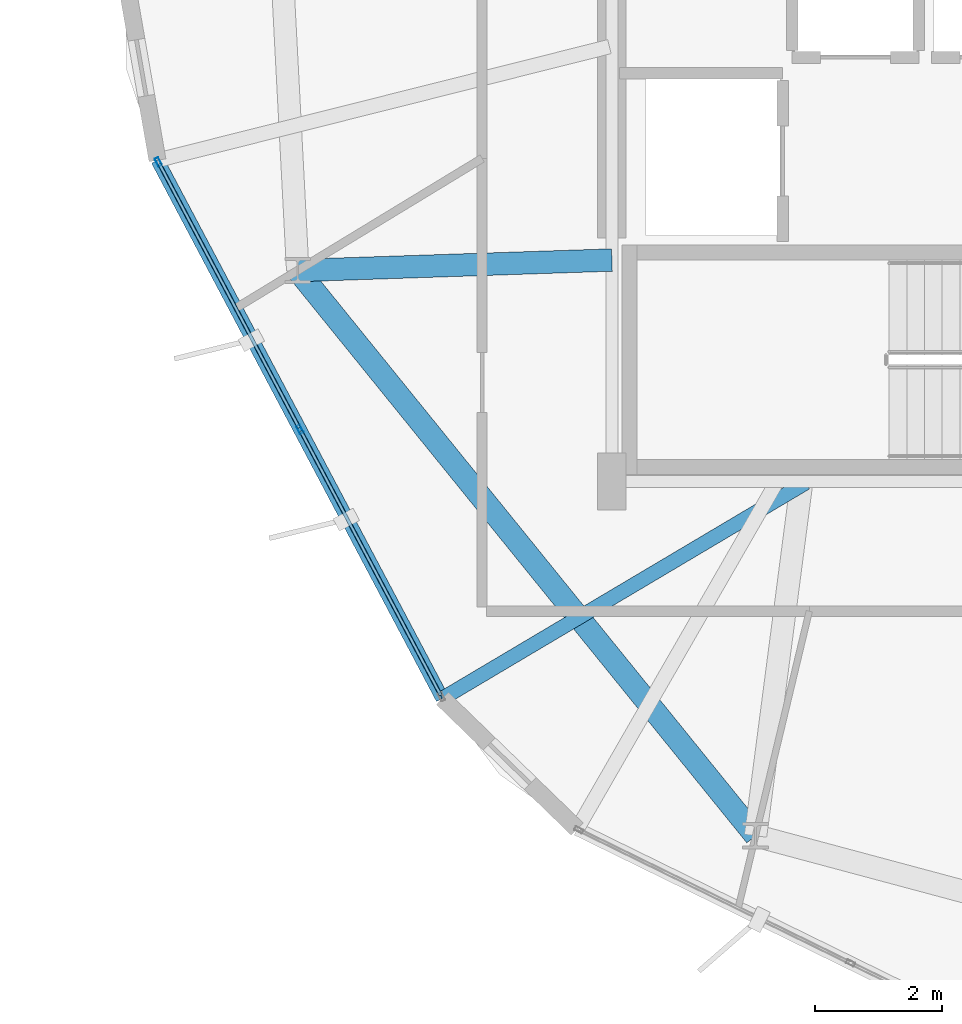
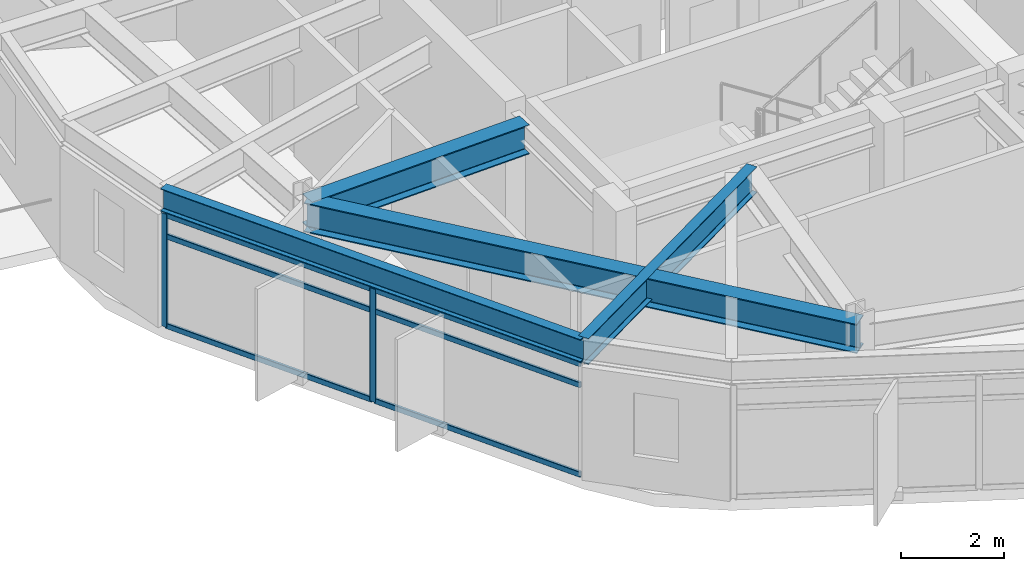
# One storey, part 3 of 28: 8 members, 4 beams, 1 element without a shape of its own.
"""IFC4 building model written with IfcOpenShell, lengths in metres."""

from ifc_helpers import new_model, si_unit, direction, frame, origin, origin_2d, place, context, subcontext, project, spatial, hollow_rectangle, i_section, extrude, material, layer, layer_set, material_profile, profile_set, type_object, element, aggregate, save


model = new_model("IFC4")

# Units and contexts
model_context = context("Model", 3, precision=1e-05, world=origin(), true_north=direction((0.0, 1.0)))
body_context = subcontext(model_context, "Body", "Model", "MODEL_VIEW")
ifc_project = project(units=[si_unit("LENGTHUNIT", "METRE"), si_unit("AREAUNIT", "SQUARE_METRE"), si_unit("VOLUMEUNIT", "CUBIC_METRE"), si_unit("PLANEANGLEUNIT", "RADIAN"), si_unit("MASSUNIT", "GRAM", prefix="KILO")], contexts=[model_context])

# Site, building, storey
site_placement = place(None, origin())
site = spatial("IfcSite", under=ifc_project, at=site_placement, CompositionType="ELEMENT")
building_placement = place(site_placement, origin())
building = spatial("IfcBuilding", under=site, at=building_placement, Name="Soratama Intermodal Tower", CompositionType="ELEMENT")
storey_placement = place(building_placement, frame((0.0, 0.0, 201.39990234375)))
storey = spatial("IfcBuildingStorey", under=building, at=storey_placement, Name="L50", CompositionType="ELEMENT", Elevation=201.39990234375)

# Beams
ifc_material_1 = material(Name="Structural steel ASTM A992 Grade 50", Category="steel")
ifc_material_profile_1 = material_profile(ifc_material_1, i_section(OverallWidth=0.35498046875, OverallDepth=0.695068359375, WebThickness=0.015380859375, FlangeThickness=0.02490234375, FilletRadius=0.01611328125, at=origin_2d()), Name="W27X146")
ifc_profile_set_1 = profile_set([ifc_material_profile_1], Name="Structural steel ASTM A992 Grade 50")
beam_type_1 = type_object("IfcBeamType", Name="BM-RING-W27X146", PredefinedType="BEAM", material=ifc_profile_set_1)
beam_1_placement = place(storey_placement, frame((27.635009765625, 18.333984375, 2.95263671875), z_axis=(0.629384551156, -0.777094001242, 0.0), x_axis=(0.777094001242, 0.629384551156, 0.0)))
element("IfcBeam", 1, at=beam_1_placement, inside=storey, type_object=beam_type_1, Name="BM-L50-RING-06", PredefinedType="BEAM", context=body_context, shape_type="SweptSolid", body=[
    extrude(i_section(OverallWidth=0.35498046875, OverallDepth=0.695068359375, WebThickness=0.015380859375, FlangeThickness=0.02490234375, FilletRadius=0.01611328125, at=origin_2d()), origin(), (0.0, 0.0, 1.0), 11.49560546875),
])
beam_2_placement = place(storey_placement, frame((32.60009765625, 18.5, 2.95263671875), z_axis=(-0.999441465401, -0.033417917907, 0.0), x_axis=(0.033417917907, -0.999441465401, 0.0)))
element("IfcBeam", 2, at=beam_2_placement, inside=storey, type_object=beam_type_1, Name="BM-L50-RAD-06", PredefinedType="BEAM", context=body_context, shape_type="SweptSolid", body=[
    extrude(i_section(OverallWidth=0.35498046875, OverallDepth=0.695068359375, WebThickness=0.015380859375, FlangeThickness=0.02490234375, FilletRadius=0.01611328125, at=origin_2d()), origin(), (0.0, 0.0, 1.0), 4.9677734375),
])
ifc_material_2 = material(Name="Structural steel ASTM A992 Grade 50", Category="steel")
ifc_material_profile_2 = material_profile(ifc_material_2, i_section(OverallWidth=0.2099609375, OverallDepth=0.537109375, WebThickness=0.010986328125, FlangeThickness=0.017333984375, FilletRadius=0.012939453125, at=origin_2d()), Name="W21X68")
ifc_profile_set_2 = profile_set([ifc_material_profile_2], Name="Structural steel ASTM A992 Grade 50")
beam_type_2 = type_object("IfcBeamType", Name="BM-SPN-W21X68", PredefinedType="SPANDREL", material=ifc_profile_set_2)
beam_3_placement = place(storey_placement, frame((25.41796875, 20.076904296875, 3.031494140625), z_axis=(0.467873734088, -0.883795320734, 0.0), x_axis=(0.883795320734, 0.467873734088, 0.0)))
element("IfcBeam", 3, at=beam_3_placement, inside=storey, type_object=beam_type_2, Name="BS-L50-F05", PredefinedType="SPANDREL", context=body_context, shape_type="SweptSolid", body=[
    extrude(i_section(OverallWidth=0.2099609375, OverallDepth=0.537109375, WebThickness=0.010986328125, FlangeThickness=0.017333984375, FilletRadius=0.012939453125, at=origin_2d()), origin(), (0.0, 0.0, 1.0), 9.624267578125),
])
ifc_material_3 = material(Name="Structural steel ASTM A992 Grade 50", Category="steel")
ifc_material_profile_3 = material_profile(ifc_material_3, i_section(OverallWidth=0.22900390625, OverallDepth=0.612060546875, WebThickness=0.011962890625, FlangeThickness=0.01953125, FilletRadius=0.012939453125, at=origin_2d()), Name="W24X84")
ifc_profile_set_3 = profile_set([ifc_material_profile_3], Name="Structural steel ASTM A992 Grade 50")
beam_type_3 = type_object("IfcBeamType", Name="BM-TIE-W24X84", PredefinedType="BEAM", material=ifc_profile_set_3)
beam_4_placement = place(storey_placement, frame((35.6640625, 14.97998046875, 2.994140625), z_axis=(-0.859924942844, -0.510420505736, 0.0), x_axis=(0.510420505736, -0.859924942844, 0.0)))
element("IfcBeam", 4, at=beam_4_placement, inside=storey, type_object=beam_type_3, Name="BM-L50-TIE1-05", PredefinedType="BEAM", context=body_context, shape_type="SweptSolid", body=[
    extrude(i_section(OverallWidth=0.22900390625, OverallDepth=0.612060546875, WebThickness=0.011962890625, FlangeThickness=0.01953125, FilletRadius=0.012939453125, at=origin_2d()), origin(), (0.0, 0.0, 1.0), 6.6787109375),
])

# Curtain wall, members
ifc_material_4 = material(Name="Double-glazed aluminium curtain wall", Category="aluminium")
ifc_layer = layer(ifc_material_4, 0.159912109375)
ifc_layer_set = layer_set([ifc_layer], Name="Double-glazed aluminium curtain wall")
curtain_wall_type = type_object("IfcCurtainWallType", Name="CW-SYS-5", PredefinedType="NOTDEFINED", material=ifc_layer_set)
curtain_wall_placement = place(storey_placement, origin())
curtain_wall = element("IfcCurtainWall", 5, at=curtain_wall_placement, inside=storey, type_object=curtain_wall_type, Name="L50 Faceted Curtain Wall F05", PredefinedType="NOTDEFINED")
ifc_material_5 = material(Name="Anodised aluminium AA 6063-T6", Category="aluminium")
ifc_material_profile_4 = material_profile(ifc_material_5, hollow_rectangle(XDim=0.06494140625, YDim=0.139892578125, WallThickness=0.0048828125, InnerFilletRadius=0.0048828125, OuterFilletRadius=0.010009765625, at=origin_2d()), Name="CWM140X65X5")
ifc_profile_set_4 = profile_set([ifc_material_profile_4], Name="Anodised aluminium AA 6063-T6")
member_type_1 = type_object("IfcMemberType", Name="MT-CWM-5", PredefinedType="MULLION", material=ifc_profile_set_4)
member_1_placement = place(storey_placement, frame((25.431640625, 20.050048828125, 0.0), z_axis=(0.0, 0.0, 1.0), x_axis=(0.883764662707, 0.467931641321, 0.0)))
member_1 = element("IfcMember", 6, at=member_1_placement, type_object=member_type_1, Name="CW-5 mullion 1", PredefinedType="MULLION", context=body_context, shape_type="SweptSolid", body=[
    extrude(hollow_rectangle(XDim=0.06494140625, YDim=0.139892578125, WallThickness=0.0048828125, InnerFilletRadius=0.0048828125, OuterFilletRadius=0.010009765625, at=origin_2d()), origin(), (0.0, 0.0, 1.0), 2.67919921875),
])
member_2_placement = place(storey_placement, frame((27.66943359375, 15.823974609375, 0.0), z_axis=(0.0, 0.0, 1.0), x_axis=(0.883764662707, 0.467931641321, 0.0)))
member_2 = element("IfcMember", 7, at=member_2_placement, type_object=member_type_1, Name="CW-5 mullion 2", PredefinedType="MULLION", context=body_context, shape_type="SweptSolid", body=[
    extrude(hollow_rectangle(XDim=0.06494140625, YDim=0.139892578125, WallThickness=0.0048828125, InnerFilletRadius=0.0048828125, OuterFilletRadius=0.010009765625, at=origin_2d()), origin(), (0.0, 0.0, 1.0), 2.67919921875),
])
ifc_material_6 = material(Name="Anodised aluminium AA 6063-T6", Category="aluminium")
ifc_material_profile_5 = material_profile(ifc_material_6, hollow_rectangle(XDim=0.06005859375, YDim=0.1298828125, WallThickness=0.0048828125, InnerFilletRadius=0.0048828125, OuterFilletRadius=0.010009765625, at=origin_2d()), Name="CWT130X60X5")
ifc_profile_set_5 = profile_set([ifc_material_profile_5], Name="Anodised aluminium AA 6063-T6")
member_type_2 = type_object("IfcMemberType", Name="TT-CWT-2", PredefinedType="USERDEFINED", material=ifc_profile_set_5)
member_3_placement = place(storey_placement, frame((25.44580078125, 20.023681640625, 0.030029296875), z_axis=(0.467897222262, -0.883782885894, 0.0), x_axis=(0.883782885894, 0.467897222262, 0.0)))
member_3 = element("IfcMember", 8, at=member_3_placement, type_object=member_type_2, Name="CW-5 transom 1.1", ObjectType="TRANSOM", PredefinedType="USERDEFINED", context=body_context, shape_type="SweptSolid", body=[
    extrude(hollow_rectangle(XDim=0.06005859375, YDim=0.1298828125, WallThickness=0.0048828125, InnerFilletRadius=0.0048828125, OuterFilletRadius=0.010009765625, at=origin_2d()), origin(), (0.0, 0.0, 1.0), 4.72216796875),
])
member_4_placement = place(storey_placement, frame((25.44580078125, 20.023681640625, 2.150146484375), z_axis=(0.467897222262, -0.883782885894, 0.0), x_axis=(0.883782885894, 0.467897222262, 0.0)))
member_4 = element("IfcMember", 9, at=member_4_placement, type_object=member_type_2, Name="CW-5 transom 1.2", ObjectType="TRANSOM", PredefinedType="USERDEFINED", context=body_context, shape_type="SweptSolid", body=[
    extrude(hollow_rectangle(XDim=0.06005859375, YDim=0.1298828125, WallThickness=0.0048828125, InnerFilletRadius=0.0048828125, OuterFilletRadius=0.010009765625, at=origin_2d()), origin(), (0.0, 0.0, 1.0), 4.72216796875),
])
member_5_placement = place(storey_placement, frame((25.44580078125, 20.023681640625, 2.649169921875), z_axis=(0.467897222262, -0.883782885894, 0.0), x_axis=(0.883782885894, 0.467897222262, 0.0)))
member_5 = element("IfcMember", 10, at=member_5_placement, type_object=member_type_2, Name="CW-5 transom 1.3", ObjectType="TRANSOM", PredefinedType="USERDEFINED", context=body_context, shape_type="SweptSolid", body=[
    extrude(hollow_rectangle(XDim=0.06005859375, YDim=0.1298828125, WallThickness=0.0048828125, InnerFilletRadius=0.0048828125, OuterFilletRadius=0.010009765625, at=origin_2d()), origin(), (0.0, 0.0, 1.0), 4.72216796875),
])
member_6_placement = place(storey_placement, frame((27.683349609375, 15.79736328125, 0.030029296875), z_axis=(0.467958984454, -0.88375018465, 0.0), x_axis=(0.88375018465, 0.467958984454, 0.0)))
member_6 = element("IfcMember", 11, at=member_6_placement, type_object=member_type_2, Name="CW-5 transom 2.1", ObjectType="TRANSOM", PredefinedType="USERDEFINED", context=body_context, shape_type="SweptSolid", body=[
    extrude(hollow_rectangle(XDim=0.06005859375, YDim=0.1298828125, WallThickness=0.0048828125, InnerFilletRadius=0.0048828125, OuterFilletRadius=0.010009765625, at=origin_2d()), origin(), (0.0, 0.0, 1.0), 4.721923828125),
])
member_7_placement = place(storey_placement, frame((27.683349609375, 15.79736328125, 2.150146484375), z_axis=(0.467958984454, -0.88375018465, 0.0), x_axis=(0.88375018465, 0.467958984454, 0.0)))
member_7 = element("IfcMember", 12, at=member_7_placement, type_object=member_type_2, Name="CW-5 transom 2.2", ObjectType="TRANSOM", PredefinedType="USERDEFINED", context=body_context, shape_type="SweptSolid", body=[
    extrude(hollow_rectangle(XDim=0.06005859375, YDim=0.1298828125, WallThickness=0.0048828125, InnerFilletRadius=0.0048828125, OuterFilletRadius=0.010009765625, at=origin_2d()), origin(), (0.0, 0.0, 1.0), 4.721923828125),
])
member_8_placement = place(storey_placement, frame((27.683349609375, 15.79736328125, 2.649169921875), z_axis=(0.467958984454, -0.88375018465, 0.0), x_axis=(0.88375018465, 0.467958984454, 0.0)))
member_8 = element("IfcMember", 13, at=member_8_placement, type_object=member_type_2, Name="CW-5 transom 2.3", ObjectType="TRANSOM", PredefinedType="USERDEFINED", context=body_context, shape_type="SweptSolid", body=[
    extrude(hollow_rectangle(XDim=0.06005859375, YDim=0.1298828125, WallThickness=0.0048828125, InnerFilletRadius=0.0048828125, OuterFilletRadius=0.010009765625, at=origin_2d()), origin(), (0.0, 0.0, 1.0), 4.721923828125),
])
aggregate(curtain_wall, [member_1, member_2, member_3, member_4, member_5, member_6, member_7, member_8])

save(model, "model.ifc")
